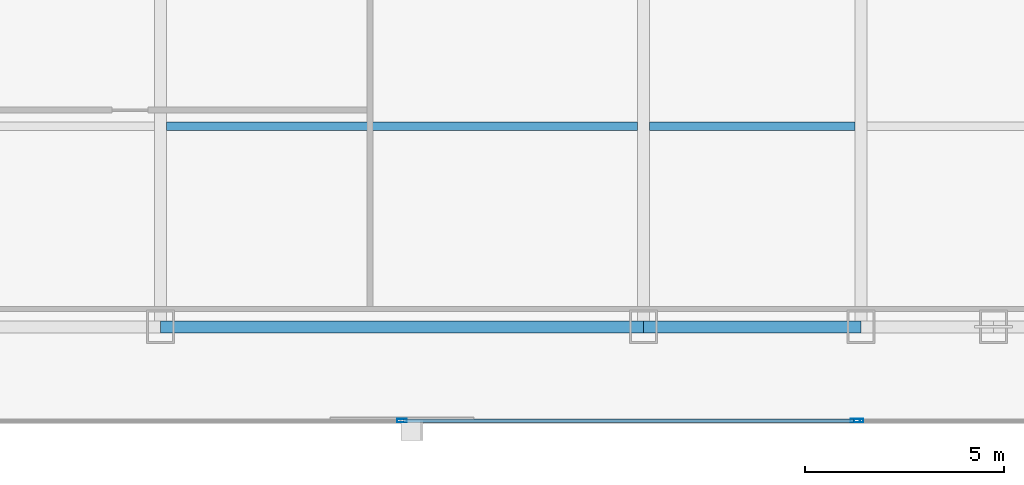
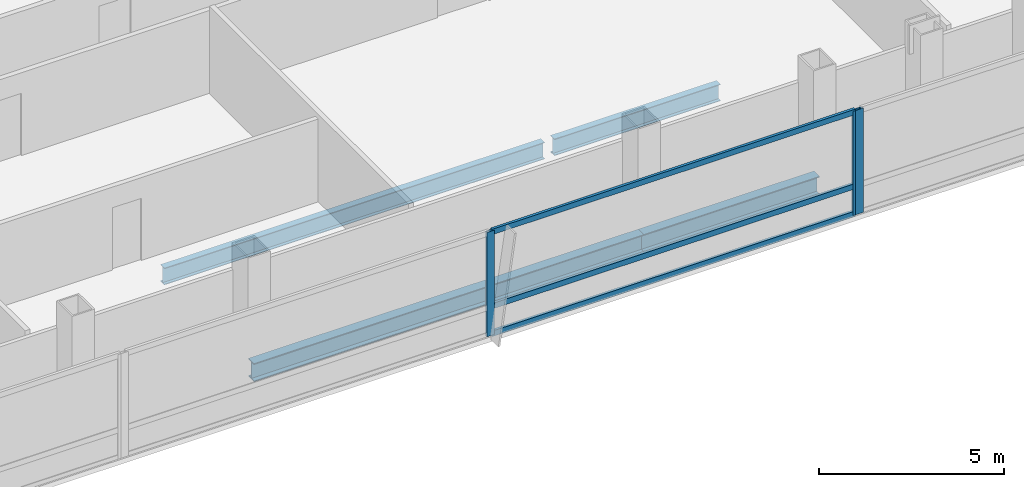
# One storey, part 13 of 32: 6 members, 4 beams, 2 elements without a shape of their own.
"""IFC4 building model written with IfcOpenShell, lengths in metres."""

from ifc_helpers import new_model, si_unit, direction, frame, origin, origin_2d, place, context, subcontext, project, spatial, hollow_rectangle, i_section, extrude, material, material_profile, profile_set, type_object, element, aggregate, save


model = new_model("IFC4")

# Units and contexts
model_context = context("Model", 3, precision=1e-05, world=origin(), true_north=direction((0.0, 1.0)))
body_context = subcontext(model_context, "Body", "Model", "MODEL_VIEW")
ifc_project = project(units=[si_unit("LENGTHUNIT", "METRE"), si_unit("AREAUNIT", "SQUARE_METRE"), si_unit("VOLUMEUNIT", "CUBIC_METRE"), si_unit("PLANEANGLEUNIT", "RADIAN"), si_unit("MASSUNIT", "GRAM", prefix="KILO")], contexts=[model_context])

# Site, building, storey
site_placement = place(None, origin())
site = spatial("IfcSite", under=ifc_project, at=site_placement, CompositionType="ELEMENT")
building_placement = place(site_placement, origin())
building = spatial("IfcBuilding", under=site, at=building_placement, Name="Khoronbel Lancet Exchange", CompositionType="ELEMENT")
storey_placement = place(building_placement, frame((0.0, 0.0, 125.39990234375)))
storey = spatial("IfcBuildingStorey", under=building, at=storey_placement, Name="L30", CompositionType="ELEMENT", Elevation=125.39990234375)

# Beams
ifc_material_1 = material(Name="Steel S355", Category="steel")
ifc_material_profile_1 = material_profile(ifc_material_1, i_section(OverallWidth=0.2099609375, OverallDepth=0.550048828125, WebThickness=0.010986328125, FlangeThickness=0.01708984375, at=origin_2d()), Name="IPE 550")
ifc_profile_set_1 = profile_set([ifc_material_profile_1], Name="Steel S355")
beam_type_1 = type_object("IfcBeamType", Name="BM-BJ2", PredefinedType="JOIST", material=ifc_profile_set_1)
beam_1_placement = place(storey_placement, frame((30.52490234375, 15.199951171875, -0.434814453125), z_axis=(1.0, 0.0, 0.0), x_axis=(0.0, 1.0, 0.0)))
element("IfcBeam", 1, at=beam_1_placement, inside=storey, type_object=beam_type_1, Name="Level L30 secondary composite joist J03", PredefinedType="JOIST", context=body_context, shape_type="SweptSolid", body=[
    extrude(i_section(OverallWidth=0.2099609375, OverallDepth=0.550048828125, WebThickness=0.010986328125, FlangeThickness=0.01708984375, at=origin_2d()), origin(), (0.0, 0.0, 1.0), 11.85009765625),
])
beam_2_placement = place(storey_placement, frame((42.675048828125, 15.199951171875, -0.434814453125), z_axis=(1.0, 0.0, 0.0), x_axis=(0.0, 1.0, 0.0)))
element("IfcBeam", 2, at=beam_2_placement, inside=storey, type_object=beam_type_1, Name="Level L30 secondary composite joist J04", PredefinedType="JOIST", context=body_context, shape_type="SweptSolid", body=[
    extrude(i_section(OverallWidth=0.2099609375, OverallDepth=0.550048828125, WebThickness=0.010986328125, FlangeThickness=0.01708984375, at=origin_2d()), origin(), (0.0, 0.0, 1.0), 5.175048828125),
])
ifc_material_profile_2 = material_profile(ifc_material_1, i_section(OverallWidth=0.300048828125, OverallDepth=0.60009765625, WebThickness=0.015380859375, FlangeThickness=0.030029296875, at=origin_2d()), Name="HEB 600")
ifc_profile_set_2 = profile_set([ifc_material_profile_2], Name="Steel S355")
beam_type_2 = type_object("IfcBeamType", Name="BM-BSP2", PredefinedType="SPANDREL", material=ifc_profile_set_2)
beam_3_placement = place(storey_placement, frame((30.375, 10.14990234375, -0.4599609375), z_axis=(1.0, 0.0, 0.0), x_axis=(0.0, 1.0, 0.0)))
element("IfcBeam", 3, at=beam_3_placement, inside=storey, type_object=beam_type_2, Name="Level L30 perimeter spandrel beam SP05", PredefinedType="SPANDREL", context=body_context, shape_type="SweptSolid", body=[
    extrude(i_section(OverallWidth=0.300048828125, OverallDepth=0.60009765625, WebThickness=0.015380859375, FlangeThickness=0.030029296875, at=origin_2d()), origin(), (0.0, 0.0, 1.0), 12.14990234375),
])
beam_4_placement = place(storey_placement, frame((42.52490234375, 10.14990234375, -0.4599609375), z_axis=(1.0, 0.0, 0.0), x_axis=(0.0, 1.0, 0.0)))
element("IfcBeam", 4, at=beam_4_placement, inside=storey, type_object=beam_type_2, Name="Level L30 perimeter spandrel beam SP06", PredefinedType="SPANDREL", context=body_context, shape_type="SweptSolid", body=[
    extrude(i_section(OverallWidth=0.300048828125, OverallDepth=0.60009765625, WebThickness=0.015380859375, FlangeThickness=0.030029296875, at=origin_2d()), origin(), (0.0, 0.0, 1.0), 5.47509765625),
])

# Curtain wall, members
ifc_material_2 = material(Name="Low-E Solar Control Insulating Glass", Category="glass")
curtain_wall_type = type_object("IfcCurtainWallType", Name="CW-2", PredefinedType="NOTDEFINED", material=ifc_material_2)
curtain_wall_1_placement = place(storey_placement, origin())
curtain_wall_1 = element("IfcCurtainWall", 5, at=curtain_wall_1_placement, inside=storey, type_object=curtain_wall_type, Name="Unitised curtain wall CW-L30-SCV", PredefinedType="NOTDEFINED")
ifc_material_3 = material(Name="Bronze-Anodised Aluminium 6063-T6", Category="aluminium")
ifc_material_profile_3 = material_profile(ifc_material_3, hollow_rectangle(XDim=0.0849609375, YDim=0.239990234375, WallThickness=0.006103515625, at=origin_2d()), Name="ALU MULLION 85x240")
ifc_profile_set_3 = profile_set([ifc_material_profile_3], Name="Bronze-Anodised Aluminium 6063-T6")
member_type_1 = type_object("IfcMemberType", Name="MEM-CWM1", PredefinedType="MULLION", material=ifc_profile_set_3)
member_1_placement = place(storey_placement, frame((36.449951171875, 7.7900390625, 0.0), z_axis=(0.0, 0.0, 1.0), x_axis=(0.0, 1.0, 0.0)))
member_1 = element("IfcMember", 6, at=member_1_placement, type_object=member_type_1, Name="CW2 mullion 2", PredefinedType="MULLION", context=body_context, shape_type="SweptSolid", body=[
    extrude(hollow_rectangle(XDim=0.0849609375, YDim=0.239990234375, WallThickness=0.006103515625, at=origin_2d()), origin(), (0.0, 0.0, 1.0), 3.440185546875),
])
member_2_placement = place(storey_placement, frame((47.857421875, 7.7900390625, 0.0), z_axis=(0.0, 0.0, 1.0), x_axis=(0.0, 1.0, 0.0)))
member_2 = element("IfcMember", 7, at=member_2_placement, type_object=member_type_1, Name="CW2 mullion 3", PredefinedType="MULLION", context=body_context, shape_type="SweptSolid", body=[
    extrude(hollow_rectangle(XDim=0.0849609375, YDim=0.239990234375, WallThickness=0.006103515625, at=origin_2d()), origin(), (0.0, 0.0, 1.0), 3.440185546875),
])

# Curtain wall, member
curtain_wall_2_placement = place(storey_placement, origin())
curtain_wall_2 = element("IfcCurtainWall", 8, at=curtain_wall_2_placement, inside=storey, type_object=curtain_wall_type, Name="Unitised curtain wall CW-L30-SEB", PredefinedType="NOTDEFINED")
member_3_placement = place(storey_placement, frame((47.9423828125, 7.7900390625, 0.0), z_axis=(0.0, 0.0, 1.0), x_axis=(0.0, 1.0, 0.0)))
member_3 = element("IfcMember", 9, at=member_3_placement, type_object=member_type_1, Name="CW2 mullion 1", PredefinedType="MULLION", context=body_context, shape_type="SweptSolid", body=[
    extrude(hollow_rectangle(XDim=0.0849609375, YDim=0.239990234375, WallThickness=0.006103515625, at=origin_2d()), origin(), (0.0, 0.0, 1.0), 3.440185546875),
])
aggregate(curtain_wall_2, [member_3])

# Member
ifc_material_profile_4 = material_profile(ifc_material_3, hollow_rectangle(XDim=0.0849609375, YDim=0.179931640625, WallThickness=0.0048828125, at=origin_2d()), Name="ALU TRANSOM 85x180")
ifc_profile_set_4 = profile_set([ifc_material_profile_4], Name="Bronze-Anodised Aluminium 6063-T6")
member_type_2 = type_object("IfcMemberType", Name="MEM-CWT1", PredefinedType="USERDEFINED", material=ifc_profile_set_4)
member_4_placement = place(storey_placement, frame((36.492431640625, 7.7900390625, 0.04248046875), z_axis=(1.0, 0.0, 0.0), x_axis=(0.0, 1.0, 0.0)))
member_4 = element("IfcMember", 10, at=member_4_placement, type_object=member_type_2, Name="CW2 transom 2.1", ObjectType="TRANSOM", PredefinedType="USERDEFINED", context=body_context, shape_type="SweptSolid", body=[
    extrude(hollow_rectangle(XDim=0.0849609375, YDim=0.179931640625, WallThickness=0.0048828125, at=origin_2d()), origin(), (0.0, 0.0, 1.0), 11.322509765625),
])

member_5_placement = place(storey_placement, frame((36.492431640625, 7.7900390625, 0.9501953125), z_axis=(1.0, 0.0, 0.0), x_axis=(0.0, 1.0, 0.0)))
member_5 = element("IfcMember", 11, at=member_5_placement, type_object=member_type_2, Name="CW2 transom 2.2", ObjectType="TRANSOM", PredefinedType="USERDEFINED", context=body_context, shape_type="SweptSolid", body=[
    extrude(hollow_rectangle(XDim=0.0849609375, YDim=0.179931640625, WallThickness=0.0048828125, at=origin_2d()), origin(), (0.0, 0.0, 1.0), 11.322509765625),
])

member_6_placement = place(storey_placement, frame((36.492431640625, 7.7900390625, 3.397705078125), z_axis=(1.0, 0.0, 0.0), x_axis=(0.0, 1.0, 0.0)))
member_6 = element("IfcMember", 12, at=member_6_placement, type_object=member_type_2, Name="CW2 transom 2.3", ObjectType="TRANSOM", PredefinedType="USERDEFINED", context=body_context, shape_type="SweptSolid", body=[
    extrude(hollow_rectangle(XDim=0.0849609375, YDim=0.179931640625, WallThickness=0.0048828125, at=origin_2d()), origin(), (0.0, 0.0, 1.0), 11.322509765625),
])

aggregate(curtain_wall_1, [member_1, member_2, member_4, member_5, member_6])

save(model, "model.ifc")
